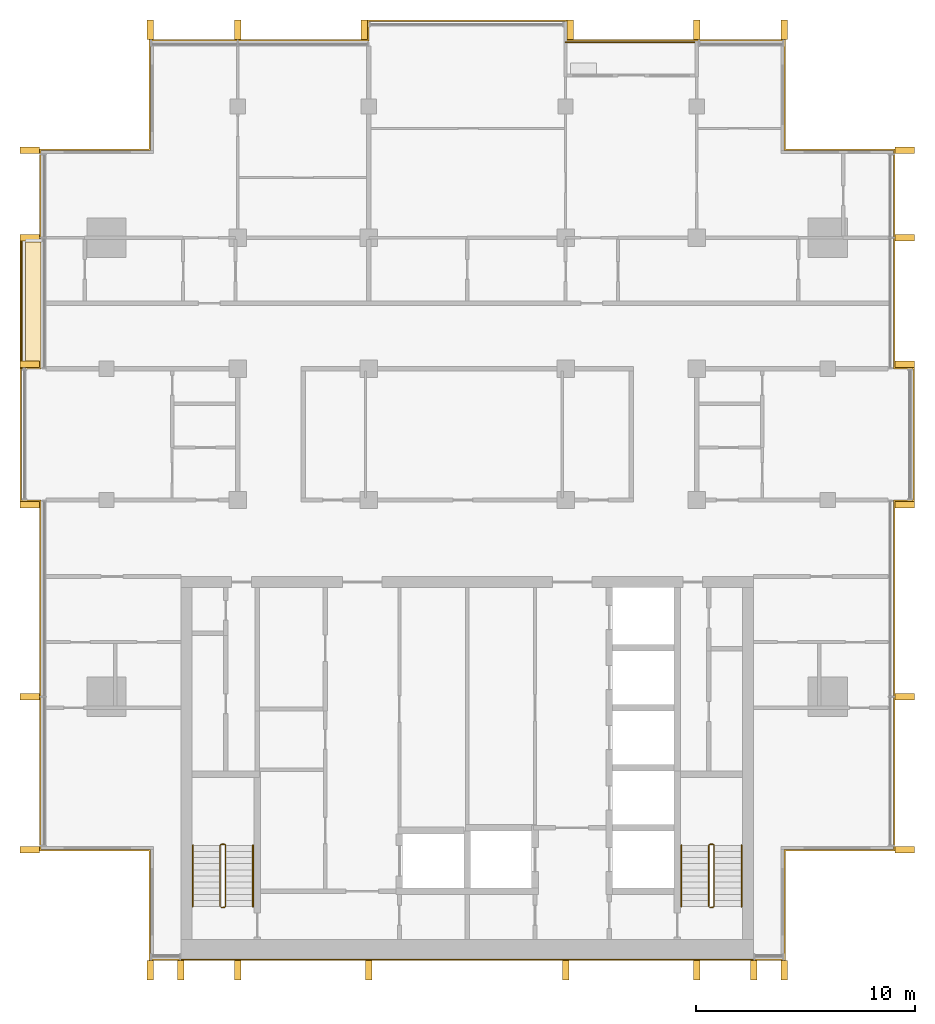
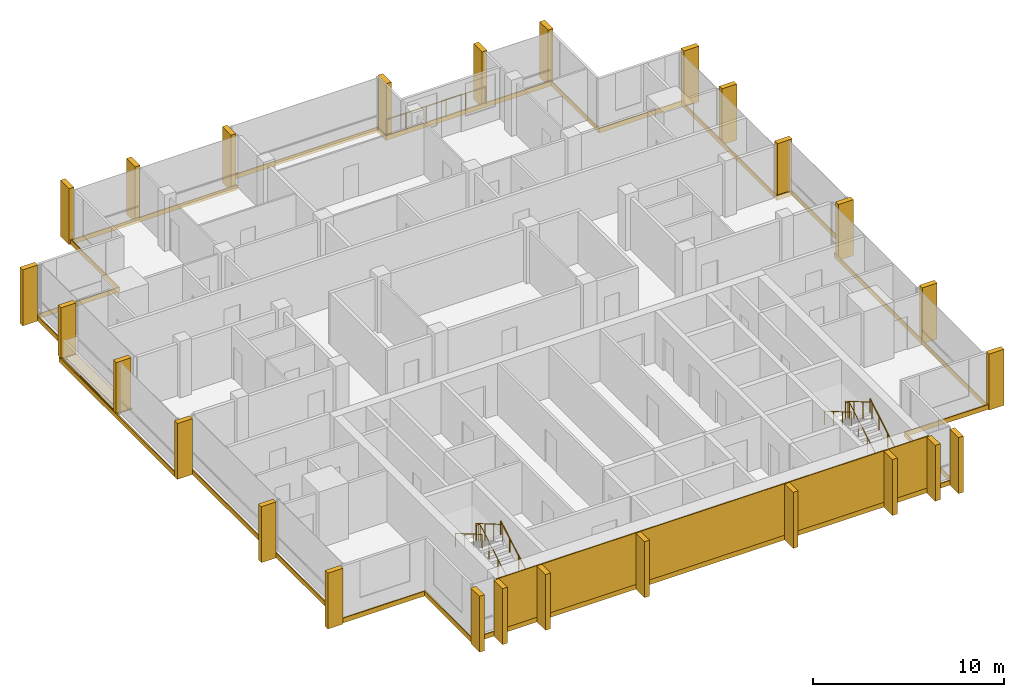
# One storey, part 16 of 16: 26 shading devices, 8 coverings, 7 railings.
"""IFC4 building model written with IfcOpenShell, lengths in metres."""

from ifc_helpers import new_model, si_unit, direction, frame, origin, origin_2d, place, context, subcontext, project, spatial, polyline, rectangle, circle, outline, extrude, material, layer, layer_set, type_object, element, save


model = new_model("IFC4")

# Units and contexts
model_context = context("Model", 3, precision=1e-05, world=origin(), true_north=direction((0.0, 1.0)))
body_context = subcontext(model_context, "Body", "Model", "MODEL_VIEW")
ifc_project = project(units=[si_unit("LENGTHUNIT", "METRE"), si_unit("AREAUNIT", "SQUARE_METRE"), si_unit("VOLUMEUNIT", "CUBIC_METRE"), si_unit("PLANEANGLEUNIT", "RADIAN"), si_unit("MASSUNIT", "GRAM", prefix="KILO")], contexts=[model_context])

# Site, building, storey
site_placement = place(None, origin())
site = spatial("IfcSite", under=ifc_project, at=site_placement, CompositionType="ELEMENT")
building_placement = place(site_placement, origin())
building = spatial("IfcBuilding", under=site, at=building_placement, Name="Finial Court Residences", CompositionType="ELEMENT")
storey_placement = place(building_placement, frame((0.0, 0.0, 284.300048828125)))
storey = spatial("IfcBuildingStorey", under=building, at=storey_placement, Name="L72", CompositionType="ELEMENT", Elevation=284.300048828125)

# Railing
ifc_material_1 = material(Name="Bronze anodised aluminium", Category="aluminium")
railing_type_1 = type_object("IfcRailingType", Name="Balcony guard 1100", PredefinedType="GUARDRAIL", material=ifc_material_1)
railing_1_placement = place(storey_placement, frame((4.5, 16.449951171875, 0.0)))
element("IfcRailing", 1, at=railing_1_placement, inside=storey, type_object=railing_type_1, Name="E-L72-BALN4-R", PredefinedType="GUARDRAIL", context=body_context, shape_type="SweptSolid", body=[
    extrude(circle(Radius=0.02392578125, at=origin_2d()), frame((0.0, 0.0, 1.076171875), z_axis=(1.0, 0.0, 0.0), x_axis=(0.0, 1.0, 0.0)), (0.0, 0.0, 1.0), 6.0),
    extrude(circle(Radius=0.02099609375, at=origin_2d()), origin(), (0.0, 0.0, 1.0), 1.052001953125),
    extrude(circle(Radius=0.02099609375, at=origin_2d()), frame((1.199951171875, 0.0, 0.0)), (0.0, 0.0, 1.0), 1.052001953125),
    extrude(circle(Radius=0.02099609375, at=origin_2d()), frame((2.39990234375, 0.0, 0.0)), (0.0, 0.0, 1.0), 1.052001953125),
    extrude(circle(Radius=0.02099609375, at=origin_2d()), frame((3.60009765625, 0.0, 0.0)), (0.0, 0.0, 1.0), 1.052001953125),
    extrude(circle(Radius=0.02099609375, at=origin_2d()), frame((4.800048828125, 0.0, 0.0)), (0.0, 0.0, 1.0), 1.052001953125),
    extrude(circle(Radius=0.02099609375, at=origin_2d()), frame((6.0, 0.0, 0.0)), (0.0, 0.0, 1.0), 1.052001953125),
])

# Coverings
ifc_material_2 = material(Name="Natural limestone", Category="masonry")
ifc_layer_1 = layer(ifc_material_2, 0.06005859375)
ifc_layer_set_1 = layer_set([ifc_layer_1], Name="Limestone cladding to the blind core face 60")
covering_type_1 = type_object("IfcCoveringType", Name="Limestone cladding to the blind core face 60", PredefinedType="CLADDING", material=ifc_layer_set_1)
covering_1_placement = place(storey_placement, origin())
element("IfcCovering", 2, at=covering_1_placement, inside=storey, type_object=covering_type_1, Name="E-L72-CLAD1", PredefinedType="CLADDING", context=body_context, shape_type="SweptSolid", body=[
    extrude(outline(polyline([(-10.5, -25.56005859375), (-10.5, -25.5), (-13.10009765625, -25.5), (-13.10009765625, -25.56005859375), (-10.5, -25.56005859375)])), origin(), (0.0, 0.0, 1.0), 3.300048828125),
])
covering_2_placement = place(storey_placement, origin())
element("IfcCovering", 3, at=covering_2_placement, inside=storey, type_object=covering_type_1, Name="E-L72-CLAD2", PredefinedType="CLADDING", context=body_context, shape_type="SweptSolid", body=[
    extrude(outline(polyline([(-4.5, -25.56005859375), (-4.5, -25.5), (-10.5, -25.5), (-10.5, -25.56005859375), (-4.5, -25.56005859375)])), origin(), (0.0, 0.0, 1.0), 3.300048828125),
])
covering_3_placement = place(storey_placement, origin())
element("IfcCovering", 4, at=covering_3_placement, inside=storey, type_object=covering_type_1, Name="E-L72-CLAD3", PredefinedType="CLADDING", context=body_context, shape_type="SweptSolid", body=[
    extrude(outline(polyline([(4.5, -25.56005859375), (4.5, -25.5), (-4.5, -25.5), (-4.5, -25.56005859375), (4.5, -25.56005859375)])), origin(), (0.0, 0.0, 1.0), 3.300048828125),
])
covering_4_placement = place(storey_placement, origin())
element("IfcCovering", 5, at=covering_4_placement, inside=storey, type_object=covering_type_1, Name="E-L72-CLAD4", PredefinedType="CLADDING", context=body_context, shape_type="SweptSolid", body=[
    extrude(outline(polyline([(10.5, -25.56005859375), (10.5, -25.5), (4.5, -25.5), (4.5, -25.56005859375), (10.5, -25.56005859375)])), origin(), (0.0, 0.0, 1.0), 3.300048828125),
])
covering_5_placement = place(storey_placement, origin())
element("IfcCovering", 6, at=covering_5_placement, inside=storey, type_object=covering_type_1, Name="E-L72-CLAD5", PredefinedType="CLADDING", context=body_context, shape_type="SweptSolid", body=[
    extrude(outline(polyline([(13.10009765625, -25.56005859375), (13.10009765625, -25.5), (10.5, -25.5), (10.5, -25.56005859375), (13.10009765625, -25.56005859375)])), origin(), (0.0, 0.0, 1.0), 3.300048828125),
])

# Shading devices
shading_device_type = type_object("IfcShadingDeviceType", Name="Limestone fin 300 x 900", PredefinedType="USERDEFINED", material=ifc_material_2)
for number, where, z_axis, x_axis, name in (
    (7, (-14.5, 17.010009765625, -0.300048828125), (0.0, 0.0, 1.0), (1.0, 0.0, 0.0), "E-L72-FIN-N1"),
    (8, (-10.5, 17.010009765625, -0.300048828125), (0.0, 0.0, 1.0), (1.0, 0.0, 0.0), "E-L72-FIN-N2"),
    (9, (-4.7099609375, 17.010009765625, -0.300048828125), (0.0, 0.0, 1.0), (1.0, 0.0, 0.0), "E-L72-FIN-N3"),
    (10, (4.7099609375, 17.010009765625, -0.300048828125), (0.0, 0.0, 1.0), (1.0, 0.0, 0.0), "E-L72-FIN-N4"),
    (11, (10.5, 17.010009765625, -0.300048828125), (0.0, 0.0, 1.0), (1.0, 0.0, 0.0), "E-L72-FIN-N5"),
    (12, (14.5, 17.010009765625, -0.300048828125), (0.0, 0.0, 1.0), (1.0, 0.0, 0.0), "E-L72-FIN-N6"),
):
    element("IfcShadingDevice", number, at=place(storey_placement, frame(where, z_axis=z_axis, x_axis=x_axis)), inside=storey, type_object=shading_device_type, Name=name, ObjectType="FIN", PredefinedType="USERDEFINED", context=body_context, shape_type="SweptSolid", body=[
        extrude(rectangle(XDim=0.300048828125, YDim=0.89990234375, at=origin_2d()), origin(), (0.0, 0.0, 1.0), 3.580078125),
    ])
for number, where, z_axis, x_axis, name in (
    (13, (20.010009765625, -20.5, -0.300048828125), (0.0, 0.0, 1.0), (1.0, 0.0, 0.0), "E-L72-FIN-E7"),
    (14, (20.010009765625, -13.5, -0.300048828125), (0.0, 0.0, 1.0), (1.0, 0.0, 0.0), "E-L72-FIN-E8"),
    (15, (20.010009765625, -4.7099609375, -0.300048828125), (0.0, 0.0, 1.0), (1.0, 0.0, 0.0), "E-L72-FIN-E9"),
    (16, (20.010009765625, 1.7099609375, -0.300048828125), (0.0, 0.0, 1.0), (1.0, 0.0, 0.0), "E-L72-FIN-E10"),
    (17, (20.010009765625, 7.5, -0.300048828125), (0.0, 0.0, 1.0), (1.0, 0.0, 0.0), "E-L72-FIN-E11"),
    (18, (20.010009765625, 11.5, -0.300048828125), (0.0, 0.0, 1.0), (1.0, 0.0, 0.0), "E-L72-FIN-E12"),
):
    element("IfcShadingDevice", number, at=place(storey_placement, frame(where, z_axis=z_axis, x_axis=x_axis)), inside=storey, type_object=shading_device_type, Name=name, ObjectType="FIN", PredefinedType="USERDEFINED", context=body_context, shape_type="SweptSolid", body=[
        extrude(rectangle(XDim=0.89990234375, YDim=0.300048828125, at=origin_2d()), origin(), (0.0, 0.0, 1.0), 3.580078125),
    ])
for number, where, z_axis, x_axis, name in (
    (19, (-14.5, -26.010009765625, -0.300048828125), (0.0, 0.0, 1.0), (1.0, 0.0, 0.0), "E-L72-FIN-S13"),
    (20, (-13.10009765625, -26.010009765625, -0.300048828125), (0.0, 0.0, 1.0), (1.0, 0.0, 0.0), "E-L72-FIN-S14"),
    (21, (-10.5, -26.010009765625, -0.300048828125), (0.0, 0.0, 1.0), (1.0, 0.0, 0.0), "E-L72-FIN-S15"),
    (22, (-4.5, -26.010009765625, -0.300048828125), (0.0, 0.0, 1.0), (1.0, 0.0, 0.0), "E-L72-FIN-S16"),
    (23, (4.5, -26.010009765625, -0.300048828125), (0.0, 0.0, 1.0), (1.0, 0.0, 0.0), "E-L72-FIN-S17"),
    (24, (10.5, -26.010009765625, -0.300048828125), (0.0, 0.0, 1.0), (1.0, 0.0, 0.0), "E-L72-FIN-S18"),
    (25, (13.10009765625, -26.010009765625, -0.300048828125), (0.0, 0.0, 1.0), (1.0, 0.0, 0.0), "E-L72-FIN-S19"),
    (26, (14.5, -26.010009765625, -0.300048828125), (0.0, 0.0, 1.0), (1.0, 0.0, 0.0), "E-L72-FIN-S20"),
):
    element("IfcShadingDevice", number, at=place(storey_placement, frame(where, z_axis=z_axis, x_axis=x_axis)), inside=storey, type_object=shading_device_type, Name=name, ObjectType="FIN", PredefinedType="USERDEFINED", context=body_context, shape_type="SweptSolid", body=[
        extrude(rectangle(XDim=0.300048828125, YDim=0.89990234375, at=origin_2d()), origin(), (0.0, 0.0, 1.0), 3.580078125),
    ])
for number, where, z_axis, x_axis, name in (
    (27, (-20.010009765625, -20.5, -0.300048828125), (0.0, 0.0, 1.0), (1.0, 0.0, 0.0), "E-L72-FIN-W21"),
    (28, (-20.010009765625, -13.5, -0.300048828125), (0.0, 0.0, 1.0), (1.0, 0.0, 0.0), "E-L72-FIN-W22"),
    (29, (-20.010009765625, -4.7099609375, -0.300048828125), (0.0, 0.0, 1.0), (1.0, 0.0, 0.0), "E-L72-FIN-W23"),
):
    element("IfcShadingDevice", number, at=place(storey_placement, frame(where, z_axis=z_axis, x_axis=x_axis)), inside=storey, type_object=shading_device_type, Name=name, ObjectType="FIN", PredefinedType="USERDEFINED", context=body_context, shape_type="SweptSolid", body=[
        extrude(rectangle(XDim=0.89990234375, YDim=0.300048828125, at=origin_2d()), origin(), (0.0, 0.0, 1.0), 3.580078125),
    ])
for number, where, z_axis, x_axis, name in (
    (30, (-20.010009765625, 1.7099609375, 0.0400390625), (0.0, 0.0, 1.0), (1.0, 0.0, 0.0), "E-L72-FIN-W24"),
    (31, (-20.010009765625, 7.5, 0.0400390625), (0.0, 0.0, 1.0), (1.0, 0.0, 0.0), "E-L72-FIN-W25"),
):
    element("IfcShadingDevice", number, at=place(storey_placement, frame(where, z_axis=z_axis, x_axis=x_axis)), inside=storey, type_object=shading_device_type, Name=name, ObjectType="FIN", PredefinedType="USERDEFINED", context=body_context, shape_type="SweptSolid", body=[
        extrude(rectangle(XDim=0.89990234375, YDim=0.300048828125, at=origin_2d()), origin(), (0.0, 0.0, 1.0), 3.239990234375),
    ])
shading_device_placement = place(storey_placement, frame((-20.010009765625, 11.5, -0.300048828125), z_axis=(0.0, 0.0, 1.0), x_axis=(1.0, 0.0, 0.0)))
element("IfcShadingDevice", 32, at=shading_device_placement, inside=storey, type_object=shading_device_type, Name="E-L72-FIN-W26", ObjectType="FIN", PredefinedType="USERDEFINED", context=body_context, shape_type="SweptSolid", body=[
    extrude(rectangle(XDim=0.89990234375, YDim=0.300048828125, at=origin_2d()), origin(), (0.0, 0.0, 1.0), 3.580078125),
])

# Coverings
ifc_material_3 = material(Name="Pale limestone", Category="masonry")
ifc_layer_2 = layer(ifc_material_3, 0.06005859375)
ifc_layer_set_2 = layer_set([ifc_layer_2], Name="Pale limestone slab-edge band 60")
covering_type_2 = type_object("IfcCoveringType", Name="Pale limestone slab-edge band 60", PredefinedType="CLADDING", material=ifc_layer_set_2)
covering_6_placement = place(storey_placement, frame((0.0, 0.0, -0.300048828125)))
element("IfcCovering", 33, at=covering_6_placement, inside=storey, type_object=covering_type_2, Name="E-L72-BAND1", PredefinedType="CLADDING", context=body_context, shape_type="SweptSolid", body=[
    extrude(outline(polyline([(-19.56005859375, -4.56005859375), (-20.4599609375, -4.56005859375), (-20.4599609375, 7.56005859375), (-19.56005859375, 7.56005859375), (-19.56005859375, 11.56005859375), (-14.56005859375, 11.56005859375), (-14.56005859375, 16.56005859375), (-4.56005859375, 16.56005859375), (-4.56005859375, 17.4599609375), (4.56005859375, 17.4599609375), (4.56005859375, 16.56005859375), (14.56005859375, 16.56005859375), (14.56005859375, 11.56005859375), (19.56005859375, 11.56005859375), (19.56005859375, 1.56005859375), (20.4599609375, 1.56005859375), (20.4599609375, -4.56005859375), (19.56005859375, -4.56005859375), (19.56005859375, -20.56005859375), (14.56005859375, -20.56005859375), (14.56005859375, -25.56005859375), (-14.56005859375, -25.56005859375), (-14.56005859375, -20.56005859375), (-19.56005859375, -20.56005859375), (-19.56005859375, -4.56005859375)]), holes=[polyline([(-14.5, -20.5), (-14.5, -25.5), (14.5, -25.5), (14.5, -20.5), (19.5, -20.5), (19.5, -4.5), (20.39990234375, -4.5), (20.39990234375, 1.5), (19.5, 1.5), (19.5, 11.5), (14.5, 11.5), (14.5, 16.5), (10.5, 16.5), (4.5, 16.5), (4.5, 17.39990234375), (-4.5, 17.39990234375), (-4.5, 16.5), (-14.5, 16.5), (-14.5, 11.5), (-19.5, 11.5), (-19.5, 7.5), (-20.39990234375, 7.5), (-20.39990234375, 1.5), (-20.39990234375, -4.5), (-19.5, -4.5), (-19.5, -20.5), (-14.5, -20.5)])]), origin(), (0.0, 0.0, 1.0), 0.300048828125),
])
ifc_material_4 = material(Name="Bitumen membrane")
ifc_layer_3 = layer(ifc_material_4, 0.0400390625)
ifc_layer_set_3 = layer_set([ifc_layer_3], Name="Push box roofing, bitumen membrane 40")
covering_type_3 = type_object("IfcCoveringType", Name="Push box roofing, bitumen membrane 40", PredefinedType="ROOFING", material=ifc_layer_set_3)
covering_7_placement = place(storey_placement, origin())
element("IfcCovering", 34, at=covering_7_placement, inside=storey, type_object=covering_type_3, Name="E-L72-LED1", PredefinedType="ROOFING", context=body_context, shape_type="SweptSolid", body=[
    extrude(outline(polyline([(-19.5, 7.449951171875), (-20.199951171875, 7.449951171875), (-20.35009765625, 7.449951171875), (-20.35009765625, 1.5), (-20.39990234375, 1.5), (-20.39990234375, 7.5), (-19.5, 7.5), (-19.5, 7.449951171875)])), origin(), (0.0, 0.0, 1.0), 0.0400390625),
])
covering_8_placement = place(storey_placement, origin())
element("IfcCovering", 35, at=covering_8_placement, inside=storey, type_object=covering_type_3, Name="E-L72-LED1b", PredefinedType="ROOFING", context=body_context, shape_type="SweptSolid", body=[
    extrude(outline(polyline([(-19.5, 1.5), (-20.199951171875, 1.5), (-20.199951171875, 7.300048828125), (-19.5, 7.300048828125), (-19.5, 1.5)])), origin(), (0.0, 0.0, 1.0), 0.0400390625),
])

# Railings
ifc_material_5 = material(Name="Stainless steel railing", Category="steel")
railing_type_2 = type_object("IfcRailingType", Name="Stair guard 1100", PredefinedType="GUARDRAIL", material=ifc_material_5)
railing_2_placement = place(storey_placement, frame((-11.10009765625, -23.14990234375, 0.0)))
element("IfcRailing", 36, at=railing_2_placement, inside=storey, type_object=railing_type_2, Name="L72 ST-1 stair guard 1", PredefinedType="GUARDRAIL", context=body_context, shape_type="SweptSolid", body=[
    extrude(circle(Radius=0.02392578125, at=origin_2d()), frame((0.0, 0.0, 1.076171875), z_axis=(-1.0, 0.0, 0.0), x_axis=(0.0, -1.0, 0.0)), (0.0, 0.0, 1.0), 0.14990234375),
    extrude(circle(Radius=0.02392578125, at=origin_2d()), frame((-0.14990234375, 0.0, 1.076171875), z_axis=(0.760004195007, 0.189305074214, 0.621737253547), x_axis=(-0.241699205484, 0.970351222016, 0.0)), (0.0, 0.0, 1.0), 0.26318359375),
    extrude(circle(Radius=0.02392578125, at=origin_2d()), frame((0.050048828125, 0.0498046875, 1.23974609375), z_axis=(0.0, 0.863360870873, 0.504586966384), x_axis=(-1.0, 0.0, 0.0)), (0.0, 0.0, 1.0), 3.2431640625),
    extrude(circle(Radius=0.02392578125, at=origin_2d()), frame((0.050048828125, 2.849853515625, 2.8759765625), z_axis=(-0.707106781187, 0.707106781187, 0.0), x_axis=(-0.707106781187, -0.707106781187, 0.0)), (0.0, 0.0, 1.0), 0.07080078125),
    extrude(circle(Radius=0.02392578125, at=origin_2d()), frame((0.0, 2.89990234375, 2.8759765625), z_axis=(-1.0, 0.0, 0.0), x_axis=(0.0, -1.0, 0.0)), (0.0, 0.0, 1.0), 0.14990234375),
    extrude(circle(Radius=0.02392578125, at=origin_2d()), frame((-0.14990234375, 2.89990234375, 2.8759765625), z_axis=(-0.280808744504, -0.280808744504, 0.917765164963), x_axis=(0.707106781187, -0.707106781187, 0.0)), (0.0, 0.0, 1.0), 0.17822265625),
    extrude(circle(Radius=0.02392578125, at=origin_2d()), frame((-0.199951171875, 2.849853515625, 3.03955078125), z_axis=(0.0, -0.863393664356, 0.504530851732), x_axis=(1.0, 0.0, 0.0)), (0.0, 0.0, 1.0), 3.2431640625),
    extrude(circle(Radius=0.02099609375, at=origin_2d()), origin(), (0.0, 0.0, 1.0), 1.052001953125),
    extrude(circle(Radius=0.02099609375, at=origin_2d()), frame((-0.14990234375, 0.0, 0.0)), (0.0, 0.0, 1.0), 1.052001953125),
    extrude(circle(Radius=0.02099609375, at=origin_2d()), frame((0.050048828125, 0.0498046875, 0.16357421875)), (0.0, 0.0, 1.0), 1.052001953125),
    extrude(circle(Radius=0.02099609375, at=origin_2d()), frame((0.050048828125, 0.983154296875, 0.708984375)), (0.0, 0.0, 1.0), 1.052001953125),
    extrude(circle(Radius=0.02099609375, at=origin_2d()), frame((0.050048828125, 1.91650390625, 1.254638671875)), (0.0, 0.0, 1.0), 1.052001953125),
    extrude(circle(Radius=0.02099609375, at=origin_2d()), frame((0.050048828125, 2.849853515625, 1.800048828125)), (0.0, 0.0, 1.0), 1.052001953125),
    extrude(circle(Radius=0.02099609375, at=origin_2d()), frame((0.0, 2.89990234375, 1.800048828125)), (0.0, 0.0, 1.0), 1.052001953125),
    extrude(circle(Radius=0.02099609375, at=origin_2d()), frame((-0.14990234375, 2.89990234375, 1.800048828125)), (0.0, 0.0, 1.0), 1.052001953125),
    extrude(circle(Radius=0.02099609375, at=origin_2d()), frame((-0.199951171875, 2.849853515625, 1.963623046875)), (0.0, 0.0, 1.0), 1.052001953125),
    extrude(circle(Radius=0.02099609375, at=origin_2d()), frame((-0.199951171875, 1.91650390625, 2.509033203125)), (0.0, 0.0, 1.0), 1.052001953125),
    extrude(circle(Radius=0.02099609375, at=origin_2d()), frame((-0.199951171875, 0.983154296875, 3.054443359375)), (0.0, 0.0, 1.0), 1.052001953125),
    extrude(circle(Radius=0.02099609375, at=origin_2d()), frame((-0.199951171875, 0.0498046875, 3.599853515625)), (0.0, 0.0, 1.0), 1.052001953125),
])
railing_3_placement = place(storey_placement, frame((11.25, -23.14990234375, 0.0)))
element("IfcRailing", 37, at=railing_3_placement, inside=storey, type_object=railing_type_2, Name="L72 ST-2 stair guard 1", PredefinedType="GUARDRAIL", context=body_context, shape_type="SweptSolid", body=[
    extrude(circle(Radius=0.02392578125, at=origin_2d()), frame((0.0, 0.0, 1.076171875), z_axis=(-1.0, 0.0, 0.0), x_axis=(0.0, -1.0, 0.0)), (0.0, 0.0, 1.0), 0.14990234375),
    extrude(circle(Radius=0.02392578125, at=origin_2d()), frame((-0.14990234375, 0.0, 1.076171875), z_axis=(0.760004195007, 0.189305074214, 0.621737253547), x_axis=(-0.241699205484, 0.970351222016, 0.0)), (0.0, 0.0, 1.0), 0.26318359375),
    extrude(circle(Radius=0.02392578125, at=origin_2d()), frame((0.050048828125, 0.0498046875, 1.23974609375), z_axis=(0.0, 0.863360870873, 0.504586966384), x_axis=(-1.0, 0.0, 0.0)), (0.0, 0.0, 1.0), 3.2431640625),
    extrude(circle(Radius=0.02392578125, at=origin_2d()), frame((0.050048828125, 2.849853515625, 2.8759765625), z_axis=(-0.707106781187, 0.707106781187, 0.0), x_axis=(-0.707106781187, -0.707106781187, 0.0)), (0.0, 0.0, 1.0), 0.07080078125),
    extrude(circle(Radius=0.02392578125, at=origin_2d()), frame((0.0, 2.89990234375, 2.8759765625), z_axis=(-1.0, 0.0, 0.0), x_axis=(0.0, -1.0, 0.0)), (0.0, 0.0, 1.0), 0.14990234375),
    extrude(circle(Radius=0.02392578125, at=origin_2d()), frame((-0.14990234375, 2.89990234375, 2.8759765625), z_axis=(-0.280808744504, -0.280808744504, 0.917765164963), x_axis=(0.707106781187, -0.707106781187, 0.0)), (0.0, 0.0, 1.0), 0.17822265625),
    extrude(circle(Radius=0.02392578125, at=origin_2d()), frame((-0.199951171875, 2.849853515625, 3.03955078125), z_axis=(0.0, -0.863393664356, 0.504530851732), x_axis=(1.0, 0.0, 0.0)), (0.0, 0.0, 1.0), 3.2431640625),
    extrude(circle(Radius=0.02099609375, at=origin_2d()), origin(), (0.0, 0.0, 1.0), 1.052001953125),
    extrude(circle(Radius=0.02099609375, at=origin_2d()), frame((-0.14990234375, 0.0, 0.0)), (0.0, 0.0, 1.0), 1.052001953125),
    extrude(circle(Radius=0.02099609375, at=origin_2d()), frame((0.050048828125, 0.0498046875, 0.16357421875)), (0.0, 0.0, 1.0), 1.052001953125),
    extrude(circle(Radius=0.02099609375, at=origin_2d()), frame((0.050048828125, 0.983154296875, 0.708984375)), (0.0, 0.0, 1.0), 1.052001953125),
    extrude(circle(Radius=0.02099609375, at=origin_2d()), frame((0.050048828125, 1.91650390625, 1.254638671875)), (0.0, 0.0, 1.0), 1.052001953125),
    extrude(circle(Radius=0.02099609375, at=origin_2d()), frame((0.050048828125, 2.849853515625, 1.800048828125)), (0.0, 0.0, 1.0), 1.052001953125),
    extrude(circle(Radius=0.02099609375, at=origin_2d()), frame((0.0, 2.89990234375, 1.800048828125)), (0.0, 0.0, 1.0), 1.052001953125),
    extrude(circle(Radius=0.02099609375, at=origin_2d()), frame((-0.14990234375, 2.89990234375, 1.800048828125)), (0.0, 0.0, 1.0), 1.052001953125),
    extrude(circle(Radius=0.02099609375, at=origin_2d()), frame((-0.199951171875, 2.849853515625, 1.963623046875)), (0.0, 0.0, 1.0), 1.052001953125),
    extrude(circle(Radius=0.02099609375, at=origin_2d()), frame((-0.199951171875, 1.91650390625, 2.509033203125)), (0.0, 0.0, 1.0), 1.052001953125),
    extrude(circle(Radius=0.02099609375, at=origin_2d()), frame((-0.199951171875, 0.983154296875, 3.054443359375)), (0.0, 0.0, 1.0), 1.052001953125),
    extrude(circle(Radius=0.02099609375, at=origin_2d()), frame((-0.199951171875, 0.0498046875, 3.599853515625)), (0.0, 0.0, 1.0), 1.052001953125),
])
railing_type_3 = type_object("IfcRailingType", Name="Stair handrail 900", PredefinedType="HANDRAIL", material=ifc_material_5)
railing_4_placement = place(storey_placement, frame((-9.800048828125, -23.10009765625, 0.16357421875)))
element("IfcRailing", 38, at=railing_4_placement, inside=storey, type_object=railing_type_3, Name="L72 ST-1 stair handrail 1", PredefinedType="HANDRAIL", context=body_context, shape_type="SweptSolid", body=[
    extrude(circle(Radius=0.02392578125, at=origin_2d()), frame((0.0, 0.0, 0.8759765625), z_axis=(0.0, 0.863360870873, 0.504586966384), x_axis=(-1.0, 0.0, 0.0)), (0.0, 0.0, 1.0), 3.2431640625),
    extrude(circle(Radius=0.02099609375, at=origin_2d()), origin(), (0.0, 0.0, 1.0), 0.851806640625),
    extrude(circle(Radius=0.02099609375, at=origin_2d()), frame((0.0, 0.933349609375, 0.54541015625)), (0.0, 0.0, 1.0), 0.851806640625),
    extrude(circle(Radius=0.02099609375, at=origin_2d()), frame((0.0, 1.86669921875, 1.091064453125)), (0.0, 0.0, 1.0), 0.851806640625),
    extrude(circle(Radius=0.02099609375, at=origin_2d()), frame((0.0, 2.800048828125, 1.636474609375)), (0.0, 0.0, 1.0), 0.851806640625),
])
railing_5_placement = place(storey_placement, frame((-12.550048828125, -20.300048828125, 1.963623046875)))
element("IfcRailing", 39, at=railing_5_placement, inside=storey, type_object=railing_type_3, Name="L72 ST-1 stair handrail 2", PredefinedType="HANDRAIL", context=body_context, shape_type="SweptSolid", body=[
    extrude(circle(Radius=0.02392578125, at=origin_2d()), frame((0.0, 0.0, 0.8759765625), z_axis=(0.0, -0.863393664356, 0.504530851732), x_axis=(1.0, 0.0, 0.0)), (0.0, 0.0, 1.0), 3.2431640625),
    extrude(circle(Radius=0.02099609375, at=origin_2d()), origin(), (0.0, 0.0, 1.0), 0.851806640625),
    extrude(circle(Radius=0.02099609375, at=origin_2d()), frame((0.0, -0.933349609375, 0.54541015625)), (0.0, 0.0, 1.0), 0.851806640625),
    extrude(circle(Radius=0.02099609375, at=origin_2d()), frame((0.0, -1.86669921875, 1.0908203125)), (0.0, 0.0, 1.0), 0.851806640625),
    extrude(circle(Radius=0.02099609375, at=origin_2d()), frame((0.0, -2.800048828125, 1.63623046875)), (0.0, 0.0, 1.0), 0.851806640625),
])
railing_6_placement = place(storey_placement, frame((12.550048828125, -23.10009765625, 0.16357421875)))
element("IfcRailing", 40, at=railing_6_placement, inside=storey, type_object=railing_type_3, Name="L72 ST-2 stair handrail 1", PredefinedType="HANDRAIL", context=body_context, shape_type="SweptSolid", body=[
    extrude(circle(Radius=0.02392578125, at=origin_2d()), frame((0.0, 0.0, 0.8759765625), z_axis=(0.0, 0.863360870873, 0.504586966384), x_axis=(-1.0, 0.0, 0.0)), (0.0, 0.0, 1.0), 3.2431640625),
    extrude(circle(Radius=0.02099609375, at=origin_2d()), origin(), (0.0, 0.0, 1.0), 0.851806640625),
    extrude(circle(Radius=0.02099609375, at=origin_2d()), frame((0.0, 0.933349609375, 0.54541015625)), (0.0, 0.0, 1.0), 0.851806640625),
    extrude(circle(Radius=0.02099609375, at=origin_2d()), frame((0.0, 1.86669921875, 1.091064453125)), (0.0, 0.0, 1.0), 0.851806640625),
    extrude(circle(Radius=0.02099609375, at=origin_2d()), frame((0.0, 2.800048828125, 1.636474609375)), (0.0, 0.0, 1.0), 0.851806640625),
])
railing_7_placement = place(storey_placement, frame((9.800048828125, -20.300048828125, 1.963623046875)))
element("IfcRailing", 41, at=railing_7_placement, inside=storey, type_object=railing_type_3, Name="L72 ST-2 stair handrail 2", PredefinedType="HANDRAIL", context=body_context, shape_type="SweptSolid", body=[
    extrude(circle(Radius=0.02392578125, at=origin_2d()), frame((0.0, 0.0, 0.8759765625), z_axis=(0.0, -0.863393664356, 0.504530851732), x_axis=(1.0, 0.0, 0.0)), (0.0, 0.0, 1.0), 3.2431640625),
    extrude(circle(Radius=0.02099609375, at=origin_2d()), origin(), (0.0, 0.0, 1.0), 0.851806640625),
    extrude(circle(Radius=0.02099609375, at=origin_2d()), frame((0.0, -0.933349609375, 0.54541015625)), (0.0, 0.0, 1.0), 0.851806640625),
    extrude(circle(Radius=0.02099609375, at=origin_2d()), frame((0.0, -1.86669921875, 1.0908203125)), (0.0, 0.0, 1.0), 0.851806640625),
    extrude(circle(Radius=0.02099609375, at=origin_2d()), frame((0.0, -2.800048828125, 1.63623046875)), (0.0, 0.0, 1.0), 0.851806640625),
])

save(model, "model.ifc")
